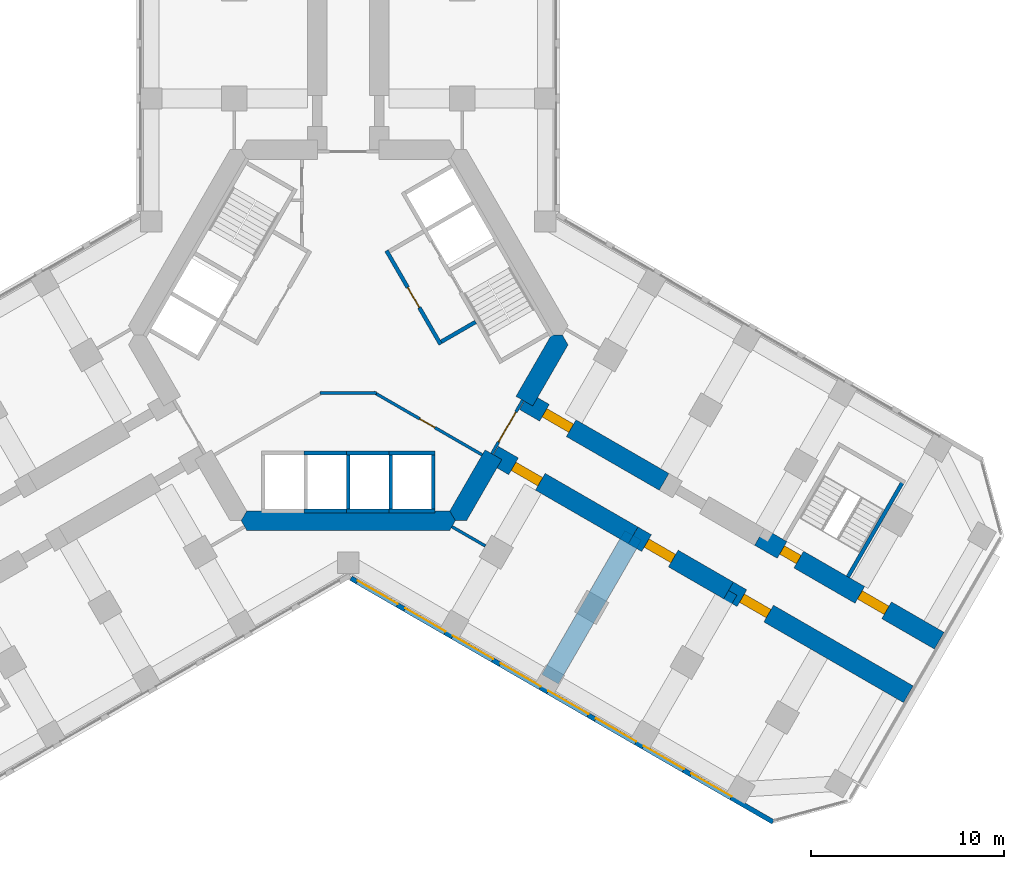
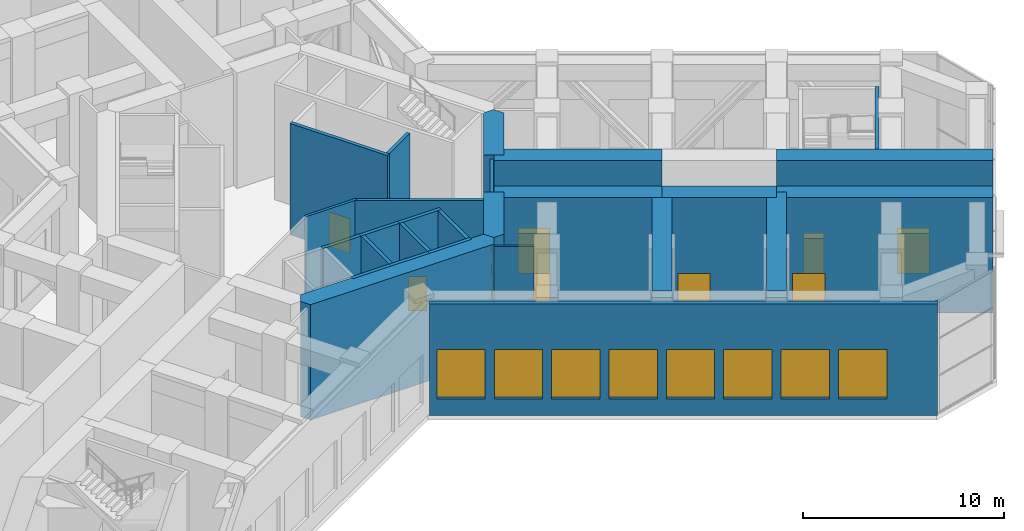
# One storey, part 12 of 17: 27 walls, 9 doors, 8 windows, 17 openings.
"""IFC4 building model written with IfcOpenShell, lengths in metres."""

import ifcopenshell
import ifcopenshell.guid

model = None  # the IFC model being written
_history = None  # IfcOwnerHistory: only IFC2X3 demands one
_inside = {}  # id of a spatial element -> (the spatial element, [elements in it])
_under = {}  # id of a project, library or spatial element -> (it, [spatial elements below it])
_declared = {}  # id of a project -> (the project, [libraries it declares])
_typed = {}  # id of a type object -> (the type object, [elements of that type])
_made_of = {}  # id of a material, layer set ... -> (it, [elements and type objects made of it])


def new_model(schema):
    """Start an empty IFC model of exactly this schema.

    Asked for "IFC4X3", IfcOpenShell would pick the latest addendum, in which some entities
    have other attributes; the version numbers below select the first issue.
    IFC2X3 requires an IfcOwnerHistory on every rooted entity: one is made here for all.
    """
    global model, _history
    if schema == "IFC4X3":
        model = ifcopenshell.file(schema_version=(4, 3, 0, 0))
    else:
        model = ifcopenshell.file(schema=schema)
    _inside.clear()
    _under.clear()
    _declared.clear()
    _typed.clear()
    _made_of.clear()
    _history = None
    if model.schema == "IFC2X3":
        org = make("IfcOrganization", Name="unknown")
        user = make(
            "IfcPersonAndOrganization",
            ThePerson=make("IfcPerson", FamilyName="unknown"),
            TheOrganization=org,
        )
        app = make(
            "IfcApplication",
            ApplicationDeveloper=org,
            Version="unknown",
            ApplicationFullName="unknown",
            ApplicationIdentifier="unknown",
        )
        _history = make(
            "IfcOwnerHistory",
            OwningUser=user,
            OwningApplication=app,
            ChangeAction="ADDED",
            CreationDate=0,
        )
    return model


def make(cls, **values):
    """One entity of the class cls with the attributes given. An attribute that is None is left unset."""
    return model.create_entity(
        cls, **{name: value for name, value in values.items() if value is not None}
    )


def rooted(cls, **values):
    """An entity with a GlobalId (a new one), such as an element, a storey or a relation."""
    return make(cls, GlobalId=ifcopenshell.guid.new(), OwnerHistory=_history, **values)


def si_unit(unit_type, name, prefix=None):
    """IfcSIUnit, for example si_unit("LENGTHUNIT", "METRE", prefix="MILLI")."""
    return make("IfcSIUnit", UnitType=unit_type, Prefix=prefix, Name=name)


def assignment(units):
    """IfcUnitAssignment: the units of a project."""
    return None if units is None else make("IfcUnitAssignment", Units=units)


def point(xyz):
    """IfcCartesianPoint."""
    return None if xyz is None else make("IfcCartesianPoint", Coordinates=xyz)


def direction(xyz):
    """IfcDirection."""
    return None if xyz is None else make("IfcDirection", DirectionRatios=xyz)


def frame(location, z_axis=None, x_axis=None):
    """IfcAxis2Placement3D, a coordinate frame: its origin and axes. An axis left out is left unset."""
    return make(
        "IfcAxis2Placement3D",
        Location=point(location),
        Axis=direction(z_axis),
        RefDirection=direction(x_axis),
    )


def frame_2d(location, x_axis=None):
    """IfcAxis2Placement2D, a coordinate frame in the plane: its origin and x axis."""
    return make(
        "IfcAxis2Placement2D", Location=point(location), RefDirection=direction(x_axis)
    )


def origin():
    """The frame at (0, 0, 0) with its axes left unset."""
    return frame((0.0, 0.0, 0.0))


def place(relative_to, where):
    """IfcLocalPlacement: puts the frame where relative to a parent placement (None: the world)."""
    return make(
        "IfcLocalPlacement", PlacementRelTo=relative_to, RelativePlacement=where
    )


def context(
    kind, dimensions, precision=None, world=None, true_north=None, identifier=None
):
    """IfcGeometricRepresentationContext, for example the 3D "Model" context."""
    return make(
        "IfcGeometricRepresentationContext",
        ContextIdentifier=identifier,
        ContextType=kind,
        CoordinateSpaceDimension=dimensions,
        Precision=precision,
        WorldCoordinateSystem=world,
        TrueNorth=true_north,
    )


def subcontext(parent, identifier, kind, view, scale=None):
    """IfcGeometricRepresentationSubContext, for example "Body" below "Model"."""
    return make(
        "IfcGeometricRepresentationSubContext",
        ContextIdentifier=identifier,
        ContextType=kind,
        ParentContext=parent,
        TargetScale=scale,
        TargetView=view,
    )


def project(units=None, contexts=None):
    """IfcProject with its units and contexts."""
    return rooted(
        "IfcProject",
        Name="project",
        RepresentationContexts=contexts,
        UnitsInContext=assignment(units),
    )


def spatial(cls, under=None, at=None, **own):
    """A site, building, storey or space (cls), placed at a placement, below another one or the project."""
    s = rooted(cls, ObjectPlacement=at, **own)
    if under is not None:
        _under.setdefault(under.id(), (under, []))[1].append(s)
    return s


def polyline(points):
    """IfcPolyline through the points."""
    return make("IfcPolyline", Points=[point(p) for p in points])


def profile(cls, at=None, kind="AREA", **sizes):
    """A parametric profile (cls). Its sizes go by their IFC names, for example OverallWidth=200.0."""
    return make(cls, ProfileType=kind, Position=at, **sizes)


def rectangle(**sizes):
    """IfcRectangleProfileDef."""
    return profile("IfcRectangleProfileDef", **sizes)


def outline(outer, holes=None, kind="AREA"):
    """IfcArbitraryClosedProfileDef: a profile drawn as a closed curve; with holes, ...WithVoids."""
    if holes is None:
        return make("IfcArbitraryClosedProfileDef", ProfileType=kind, OuterCurve=outer)
    return make(
        "IfcArbitraryProfileDefWithVoids",
        ProfileType=kind,
        OuterCurve=outer,
        InnerCurves=holes,
    )


def extrude(swept, where, along, depth):
    """IfcExtrudedAreaSolid: the profile swept, set in the frame where, extruded along a direction by depth."""
    return make(
        "IfcExtrudedAreaSolid",
        SweptArea=swept,
        Position=where,
        ExtrudedDirection=direction(along),
        Depth=depth,
    )


def shape(context_of_items, identifier, shape_type, items):
    """IfcShapeRepresentation: the items that make up one representation, for example the "Body"."""
    return make(
        "IfcShapeRepresentation",
        ContextOfItems=context_of_items,
        RepresentationIdentifier=identifier,
        RepresentationType=shape_type,
        Items=items,
    )


def material(Name=None, Category=None):
    """IfcMaterial."""
    return make("IfcMaterial", Name=Name, Category=Category)


def layer(
    of_material, thickness, ventilated=None, Name=None, Category=None, Priority=None
):
    """IfcMaterialLayer: one layer of a wall or slab, of a material (None: an air gap)."""
    return make(
        "IfcMaterialLayer",
        Material=of_material,
        LayerThickness=thickness,
        IsVentilated=ventilated,
        Name=Name,
        Category=Category,
        Priority=Priority,
    )


def layer_set(layers, Name=None):
    """IfcMaterialLayerSet."""
    return make("IfcMaterialLayerSet", MaterialLayers=layers, LayerSetName=Name)


def made_of(thing, what):
    """Note that an element or type object is made of a material, layer set ...; save() writes the relation."""
    if what is not None:
        _made_of.setdefault(what.id(), (what, []))[1].append(thing)
    return thing


def type_object(cls, material=None, **own):
    """A type object (cls), such as IfcWallType, which elements share."""
    return made_of(rooted(cls, **own), material)


def element(
    cls,
    number,
    at=None,
    inside=None,
    cuts=None,
    type_object=None,
    material=None,
    context=None,
    identifier="Body",
    shape_type=None,
    held_by="IfcProductDefinitionShape",
    body=None,
    shapes=None,
    **own,
):
    """One element of the class cls, such as IfcWall. Its Tag is "e" and its number.

    at: its placement. inside: the storey or other place that contains it. cuts: it is an
    opening in that element (IfcRelVoidsElement). A single representation is given by context,
    identifier, shape_type and body (its items); several are given by shapes. held_by: the class
    of the entity that holds the representations. save() writes the other relations.
    """
    e = rooted(cls, Tag="e%d" % number, ObjectPlacement=at, **own)
    if body is not None:
        shapes = [shape(context, identifier, shape_type, body)]
    if shapes is not None:
        e.Representation = make(held_by, Representations=shapes)
    if inside is not None:
        _inside.setdefault(inside.id(), (inside, []))[1].append(e)
    if cuts is not None:
        rooted(
            "IfcRelVoidsElement", RelatingBuildingElement=cuts, RelatedOpeningElement=e
        )
    if type_object is not None:
        _typed.setdefault(type_object.id(), (type_object, []))[1].append(e)
    return made_of(e, material)


def fill(opening, filler):
    """IfcRelFillsElement: the door or window that sits in an opening."""
    return rooted(
        "IfcRelFillsElement",
        RelatingOpeningElement=opening,
        RelatedBuildingElement=filler,
    )


def aggregate(whole, parts):
    """IfcRelAggregates: a whole, such as a stair, and the parts it consists of."""
    return rooted("IfcRelAggregates", RelatingObject=whole, RelatedObjects=parts)


def save(model, path):
    """Write the relations noted so far, then the file.

    IfcRelAggregates (storeys below a building ...), IfcRelContainedInSpatialStructure (elements
    in a storey), IfcRelDefinesByType, IfcRelAssociatesMaterial and IfcRelDeclares: one each for
    every whole, place, type object, material and project.
    """
    for whole, parts in _under.values():
        aggregate(whole, parts)
    for where, things in _inside.values():
        rooted(
            "IfcRelContainedInSpatialStructure",
            RelatedElements=things,
            RelatingStructure=where,
        )
    for kind, things in _typed.values():
        rooted("IfcRelDefinesByType", RelatedObjects=things, RelatingType=kind)
    for what, things in _made_of.values():
        rooted("IfcRelAssociatesMaterial", RelatedObjects=things, RelatingMaterial=what)
    for by, libraries in _declared.values():
        rooted("IfcRelDeclares", RelatingContext=by, RelatedDefinitions=libraries)
    model.write(path)


model = new_model("IFC4")

# Units and contexts
model_context = context("Model", 3, precision=1e-05, world=origin(), true_north=direction((0.0, 1.0)))
body_context = subcontext(model_context, "Body", "Model", "MODEL_VIEW")
ifc_project = project(units=[si_unit("LENGTHUNIT", "METRE"), si_unit("AREAUNIT", "SQUARE_METRE"), si_unit("VOLUMEUNIT", "CUBIC_METRE"), si_unit("PLANEANGLEUNIT", "RADIAN"), si_unit("MASSUNIT", "GRAM", prefix="KILO")], contexts=[model_context])

# Site, building, storey
site_placement = place(None, origin())
site = spatial("IfcSite", under=ifc_project, at=site_placement, CompositionType="ELEMENT")
building_placement = place(site_placement, origin())
building = spatial("IfcBuilding", under=site, at=building_placement, Name="Kosmar Iwan School Tower", CompositionType="ELEMENT")
storey_placement = place(building_placement, frame((0.0, 0.0, 32.39990234375)))
storey = spatial("IfcBuildingStorey", under=building, at=storey_placement, Name="L07", CompositionType="ELEMENT", Elevation=32.39990234375)

# Wall, opening, door
ifc_material_1 = material(Name="Gypsum board on steel studs, fire-rated", Category="steel")
ifc_layer_1 = layer(ifc_material_1, 0.14990234375)
ifc_layer_set_1 = layer_set([ifc_layer_1], Name="Core room partition 150")
wall_type_1 = type_object("IfcWallType", Name="Core room partition 150", PredefinedType="PARTITIONING", material=ifc_layer_set_1)
wall_1_placement = place(storey_placement, frame((1.321044921875, -2.956787109375, 0.0), z_axis=(0.0, 0.0, 1.0), x_axis=(0.866031188953, -0.499989979661, 0.0)))
wall_1 = element("IfcWall", 1, at=wall_1_placement, inside=storey, type_object=wall_type_1, Name="Core room partition L07-CW4", PredefinedType="PARTITIONING", context=body_context, shape_type="SweptSolid", body=[
    extrude(rectangle(XDim=6.477783203125, YDim=0.14990234375, at=frame_2d((3.23876953125, 0.0))), origin(), (0.0, 0.0, 1.0), 6.75),
])
opening_1_placement = place(wall_1_placement, frame((2.74609375, 0.0, 0.0)))
opening_1 = element("IfcOpeningElement", 2, at=opening_1_placement, cuts=wall_1, Name="Opening D14", PredefinedType="OPENING", context=body_context, shape_type="SweptSolid", body=[
    extrude(rectangle(XDim=0.89990234375, YDim=2.10009765625, at=frame_2d((0.449951171875, 1.050048828125))), frame((0.0, 0.0869140625, 0.0), z_axis=(0.0, -1.0, 0.0), x_axis=(1.0, 0.0, 0.0)), (0.0, 0.0, 1.0), 0.173828125),
])
ifc_material_2 = material(Name="Timber fire door in steel frame", Category="steel")
door_type_1 = type_object("IfcDoorType", Name="Core room door 900x2100", OperationType="SINGLE_SWING_LEFT", PredefinedType="DOOR", material=ifc_material_2)
door_1_placement = place(opening_1_placement, origin())
door_1 = element("IfcDoor", 3, at=door_1_placement, inside=storey, type_object=door_type_1, Name="Spares store door L07 3", OperationType="SINGLE_SWING_LEFT", OverallHeight=2.10009765625, OverallWidth=0.89990234375, PredefinedType="DOOR", context=body_context, shape_type="SweptSolid", body=[
    extrude(rectangle(XDim=0.89990234375, YDim=2.10009765625, at=frame_2d((0.449951171875, 1.050048828125))), frame((0.0, 0.02490234375, 0.0), z_axis=(0.0, -1.0, 0.0), x_axis=(1.0, 0.0, 0.0)), (0.0, 0.0, 1.0), 0.050048828125),
])
fill(opening_1, door_1)

# Walls
wall_2_placement = place(storey_placement, frame((-1.461181640625, -2.994140625, 0.0), z_axis=(0.0, 0.0, 1.0), x_axis=(1.0, 0.0, 0.0)))
element("IfcWall", 4, at=wall_2_placement, inside=storey, type_object=wall_type_1, Name="Core room partition L07-CW6", PredefinedType="PARTITIONING", context=body_context, shape_type="SweptSolid", body=[
    extrude(rectangle(XDim=2.92236328125, YDim=0.14990234375, at=frame_2d((1.461181640625, 0.0))), origin(), (0.0, 0.0, 1.0), 6.75),
])
ifc_material_3 = material(Name="Concrete C50/60", Category="concrete")
ifc_layer_2 = layer(ifc_material_3, 1.0)
ifc_layer_set_2 = layer_set([ifc_layer_2], Name="Core wall 1000")
wall_type_2 = type_object("IfcWallType", Name="Core wall 1000", PredefinedType="SHEAR", material=ifc_layer_set_2)
wall_3_placement = place(storey_placement, origin())
element("IfcWall", 5, at=wall_3_placement, inside=storey, type_object=wall_type_2, Name="Core wall F270", PredefinedType="SHEAR", context=body_context, shape_type="SweptSolid", body=[
    extrude(outline(polyline([(-5.25390625, -10.10009765625), (5.25390625, -10.10009765625), (5.54248046875, -9.60009765625), (5.25390625, -9.10009765625), (-5.25390625, -9.10009765625), (-5.54248046875, -9.60009765625), (-5.25390625, -10.10009765625)])), origin(), (0.0, 0.0, 1.0), 7.0),
])
wall_4_placement = place(storey_placement, origin())
element("IfcWall", 6, at=wall_4_placement, inside=storey, type_object=wall_type_2, Name="Core wall F330a", PredefinedType="SHEAR", context=body_context, shape_type="SweptSolid", body=[
    extrude(outline(polyline([(5.54248046875, -9.60009765625), (6.119873046875, -9.60009765625), (7.94677734375, -6.435546875), (7.080810546875, -5.935546875), (5.25390625, -9.10009765625), (5.54248046875, -9.60009765625)])), origin(), (0.0, 0.0, 1.0), 7.0),
])
wall_5_placement = place(storey_placement, origin())
element("IfcWall", 7, at=wall_5_placement, inside=storey, type_object=wall_type_2, Name="Core wall F330b", PredefinedType="SHEAR", context=body_context, shape_type="SweptSolid", body=[
    extrude(outline(polyline([(9.546875, -3.664306640625), (11.373779296875, -0.5), (11.085205078125, 0.0), (10.5078125, 0.0), (8.680908203125, -3.164306640625), (9.546875, -3.664306640625)])), origin(), (0.0, 0.0, 1.0), 7.0),
])

# Wall, opening, door
ifc_material_4 = material(Name="Concrete C50/60", Category="concrete")
ifc_layer_3 = layer(ifc_material_4, 1.0)
ifc_layer_set_3 = layer_set([ifc_layer_3], Name="Corridor buttress wall 1000")
wall_type_3 = type_object("IfcWallType", Name="Corridor buttress wall 1000", PredefinedType="SHEAR", material=ifc_layer_set_3)
wall_6_placement = place(storey_placement, frame((9.11376953125, -3.414306640625, 0.0), z_axis=(0.0, 0.0, 1.0), x_axis=(0.866026859388, -0.499997478812, 0.0)))
wall_6 = element("IfcWall", 8, at=wall_6_placement, inside=storey, type_object=wall_type_3, Name="Corridor wall CL", PredefinedType="SHEAR", context=body_context, shape_type="SweptSolid", body=[
    extrude(rectangle(XDim=8.35009765625, YDim=1.0, at=frame_2d((4.175048828125, 0.0))), origin(), (0.0, 0.0, 1.0), 7.0),
])
opening_2_placement = place(wall_6_placement, frame((1.199951171875, 0.0, 0.0)))
opening_2 = element("IfcOpeningElement", 9, at=opening_2_placement, cuts=wall_6, Name="Opening D5", PredefinedType="OPENING", context=body_context, shape_type="SweptSolid", body=[
    extrude(rectangle(XDim=1.60009765625, YDim=2.39990234375, at=frame_2d((0.800048828125, 1.199951171875))), frame((0.0, 0.511962890625, 0.0), z_axis=(0.0, -1.0, 0.0), x_axis=(1.0, 0.0, 0.0)), (0.0, 0.0, 1.0), 1.02392578125),
])
ifc_material_5 = material(Name="Steel fire door", Category="steel")
door_type_2 = type_object("IfcDoorType", Name="Plant room door pair 1600x2400", OperationType="DOUBLE_DOOR_SINGLE_SWING", PredefinedType="DOOR", material=ifc_material_5)
door_2_placement = place(opening_2_placement, origin())
door_2 = element("IfcDoor", 10, at=door_2_placement, inside=storey, type_object=door_type_2, Name="Refuge area door L07-CL1", OperationType="DOUBLE_DOOR_SINGLE_SWING", OverallHeight=2.39990234375, OverallWidth=1.60009765625, PredefinedType="DOOR", context=body_context, shape_type="SweptSolid", body=[
    extrude(rectangle(XDim=1.60009765625, YDim=2.39990234375, at=frame_2d((0.800048828125, 1.199951171875))), frame((0.0, 0.25, 0.0), z_axis=(0.0, -1.0, 0.0), x_axis=(1.0, 0.0, 0.0)), (0.0, 0.0, 1.0), 0.5),
])
fill(opening_2, door_2)

# Wall, openings, doors
wall_7_placement = place(storey_placement, frame((21.281494140625, -10.439453125, 0.0), z_axis=(0.0, 0.0, 1.0), x_axis=(0.866032345022, -0.499987977232, 0.0)))
wall_7 = element("IfcWall", 11, at=wall_7_placement, inside=storey, type_object=wall_type_3, Name="Corridor wall CL bay 3", PredefinedType="SHEAR", context=body_context, shape_type="SweptSolid", body=[
    extrude(rectangle(XDim=10.744873046875, YDim=1.0, at=frame_2d((5.37255859375, 0.0))), origin(), (0.0, 0.0, 1.0), 7.0),
])
opening_3_placement = place(wall_7_placement, frame((6.0, 0.0, 0.0)))
opening_3 = element("IfcOpeningElement", 12, at=opening_3_placement, cuts=wall_7, Name="Opening D5", PredefinedType="OPENING", context=body_context, shape_type="SweptSolid", body=[
    extrude(rectangle(XDim=1.60009765625, YDim=2.39990234375, at=frame_2d((0.800048828125, 1.199951171875))), frame((0.0, 0.511962890625, 0.0), z_axis=(0.0, -1.0, 0.0), x_axis=(1.0, 0.0, 0.0)), (0.0, 0.0, 1.0), 1.02392578125),
])
opening_4_placement = place(wall_7_placement, frame((1.35009765625, 0.0, 0.0)))
opening_4 = element("IfcOpeningElement", 13, at=opening_4_placement, cuts=wall_7, Name="Opening D6", PredefinedType="OPENING", context=body_context, shape_type="SweptSolid", body=[
    extrude(rectangle(XDim=1.0, YDim=2.10009765625, at=frame_2d((0.5, 1.050048828125))), frame((0.0, 0.511962890625, 0.0), z_axis=(0.0, -1.0, 0.0), x_axis=(1.0, 0.0, 0.0)), (0.0, 0.0, 1.0), 1.02392578125),
])
door_3_placement = place(opening_3_placement, origin())
door_3 = element("IfcDoor", 14, at=door_3_placement, inside=storey, type_object=door_type_2, Name="Pump room door L07-CL3", OperationType="DOUBLE_DOOR_SINGLE_SWING", OverallHeight=2.39990234375, OverallWidth=1.60009765625, PredefinedType="DOOR", context=body_context, shape_type="SweptSolid", body=[
    extrude(rectangle(XDim=1.60009765625, YDim=2.39990234375, at=frame_2d((0.800048828125, 1.199951171875))), frame((0.0, 0.25, 0.0), z_axis=(0.0, -1.0, 0.0), x_axis=(1.0, 0.0, 0.0)), (0.0, 0.0, 1.0), 0.5),
])
fill(opening_3, door_3)
ifc_material_6 = material(Name="Steel fire door", Category="steel")
door_type_3 = type_object("IfcDoorType", Name="Stair door 1000x2100", OperationType="SINGLE_SWING_LEFT", PredefinedType="DOOR", material=ifc_material_6)
door_4_placement = place(opening_4_placement, origin())
door_4 = element("IfcDoor", 15, at=door_4_placement, inside=storey, type_object=door_type_3, Name="Stair WS3 door L07", OperationType="SINGLE_SWING_LEFT", OverallHeight=2.10009765625, OverallWidth=1.0, PredefinedType="DOOR", context=body_context, shape_type="SweptSolid", body=[
    extrude(rectangle(XDim=1.0, YDim=2.10009765625, at=frame_2d((0.5, 1.050048828125))), frame((0.0, 0.25, 0.0), z_axis=(0.0, -1.0, 0.0), x_axis=(1.0, 0.0, 0.0)), (0.0, 0.0, 1.0), 0.5),
])
fill(opening_4, door_4)

# Wall, opening, door
wall_8_placement = place(storey_placement, frame((7.513916015625, -6.185546875, 0.0), z_axis=(0.0, 0.0, 1.0), x_axis=(0.866019549707, -0.500010139422, 0.0)))
wall_8 = element("IfcWall", 16, at=wall_8_placement, inside=storey, type_object=wall_type_3, Name="Corridor wall CR", PredefinedType="SHEAR", context=body_context, shape_type="SweptSolid", body=[
    extrude(rectangle(XDim=8.349853515625, YDim=1.0, at=frame_2d((4.1748046875, 0.0))), origin(), (0.0, 0.0, 1.0), 7.0),
])
opening_5_placement = place(wall_8_placement, frame((1.199951171875, 0.0, 0.0)))
opening_5 = element("IfcOpeningElement", 17, at=opening_5_placement, cuts=wall_8, Name="Opening D5", PredefinedType="OPENING", context=body_context, shape_type="SweptSolid", body=[
    extrude(rectangle(XDim=1.60009765625, YDim=2.39990234375, at=frame_2d((0.800048828125, 1.199951171875))), frame((0.0, 0.511962890625, 0.0), z_axis=(0.0, -1.0, 0.0), x_axis=(1.0, 0.0, 0.0)), (0.0, 0.0, 1.0), 1.02392578125),
])
door_5_placement = place(opening_5_placement, origin())
door_5 = element("IfcDoor", 18, at=door_5_placement, inside=storey, type_object=door_type_2, Name="Refuge area door L07-CR1", OperationType="DOUBLE_DOOR_SINGLE_SWING", OverallHeight=2.39990234375, OverallWidth=1.60009765625, PredefinedType="DOOR", context=body_context, shape_type="SweptSolid", body=[
    extrude(rectangle(XDim=1.60009765625, YDim=2.39990234375, at=frame_2d((0.800048828125, 1.199951171875))), frame((0.0, 0.25, 0.0), z_axis=(0.0, -1.0, 0.0), x_axis=(1.0, 0.0, 0.0)), (0.0, 0.0, 1.0), 0.5),
])
fill(opening_5, door_5)

wall_9_placement = place(storey_placement, frame((14.7451171875, -10.360595703125, 0.0), z_axis=(0.0, 0.0, 1.0), x_axis=(0.866015111908, -0.50001782563, 0.0)))
wall_9 = element("IfcWall", 19, at=wall_9_placement, inside=storey, type_object=wall_type_3, Name="Corridor wall CR bay 2", PredefinedType="SHEAR", context=body_context, shape_type="SweptSolid", body=[
    extrude(rectangle(XDim=5.699951171875, YDim=1.0, at=frame_2d((2.85009765625, 0.0))), origin(), (0.0, 0.0, 1.0), 7.0),
])
opening_6_placement = place(wall_9_placement, frame((0.800048828125, 0.0, 0.0)))
opening_6 = element("IfcOpeningElement", 20, at=opening_6_placement, cuts=wall_9, Name="Opening D5", PredefinedType="OPENING", context=body_context, shape_type="SweptSolid", body=[
    extrude(rectangle(XDim=1.60009765625, YDim=2.39990234375, at=frame_2d((0.800048828125, 1.199951171875))), frame((0.0, 0.511962890625, 0.0), z_axis=(0.0, -1.0, 0.0), x_axis=(1.0, 0.0, 0.0)), (0.0, 0.0, 1.0), 1.02392578125),
])
door_6_placement = place(opening_6_placement, origin())
door_6 = element("IfcDoor", 21, at=door_6_placement, inside=storey, type_object=door_type_2, Name="Heat exchanger room door L07-CR2", OperationType="DOUBLE_DOOR_SINGLE_SWING", OverallHeight=2.39990234375, OverallWidth=1.60009765625, PredefinedType="DOOR", context=body_context, shape_type="SweptSolid", body=[
    extrude(rectangle(XDim=1.60009765625, YDim=2.39990234375, at=frame_2d((0.800048828125, 1.199951171875))), frame((0.0, 0.25, 0.0), z_axis=(0.0, -1.0, 0.0), x_axis=(1.0, 0.0, 0.0)), (0.0, 0.0, 1.0), 0.5),
])
fill(opening_6, door_6)

wall_10_placement = place(storey_placement, frame((19.681396484375, -13.210693359375, 0.0), z_axis=(0.0, 0.0, 1.0), x_axis=(0.866028186671, -0.499995179869, 0.0)))
wall_10 = element("IfcWall", 22, at=wall_10_placement, inside=storey, type_object=wall_type_3, Name="Corridor wall CR bay 3", PredefinedType="SHEAR", context=body_context, shape_type="SweptSolid", body=[
    extrude(rectangle(XDim=10.7451171875, YDim=1.0, at=frame_2d((5.37255859375, 0.0))), origin(), (0.0, 0.0, 1.0), 7.0),
])
opening_7_placement = place(wall_10_placement, frame((0.800048828125, 0.0, 0.0)))
opening_7 = element("IfcOpeningElement", 23, at=opening_7_placement, cuts=wall_10, Name="Opening D5", PredefinedType="OPENING", context=body_context, shape_type="SweptSolid", body=[
    extrude(rectangle(XDim=1.60009765625, YDim=2.39990234375, at=frame_2d((0.800048828125, 1.199951171875))), frame((0.0, 0.511962890625, 0.0), z_axis=(0.0, -1.0, 0.0), x_axis=(1.0, 0.0, 0.0)), (0.0, 0.0, 1.0), 1.02392578125),
])
door_7_placement = place(opening_7_placement, origin())
door_7 = element("IfcDoor", 24, at=door_7_placement, inside=storey, type_object=door_type_2, Name="Pump room door L07-CR3", OperationType="DOUBLE_DOOR_SINGLE_SWING", OverallHeight=2.39990234375, OverallWidth=1.60009765625, PredefinedType="DOOR", context=body_context, shape_type="SweptSolid", body=[
    extrude(rectangle(XDim=1.60009765625, YDim=2.39990234375, at=frame_2d((0.800048828125, 1.199951171875))), frame((0.0, 0.25, 0.0), z_axis=(0.0, -1.0, 0.0), x_axis=(1.0, 0.0, 0.0)), (0.0, 0.0, 1.0), 0.5),
])
fill(opening_7, door_7)

ifc_material_7 = material(Name="Steel framed glazed screen", Category="steel")
ifc_layer_4 = layer(ifc_material_7, 0.14990234375)
ifc_layer_set_4 = layer_set([ifc_layer_4], Name="Corridor screen wall 150")
wall_type_4 = type_object("IfcWallType", Name="Corridor screen wall 150", PredefinedType="PARTITIONING", material=ifc_layer_set_4)
wall_11_placement = place(storey_placement, frame((7.42724609375, -6.1357421875, 0.0), z_axis=(0.0, 0.0, 1.0), x_axis=(0.499995408039, 0.866028054938, 0.0)))
wall_11 = element("IfcWall", 25, at=wall_11_placement, inside=storey, type_object=wall_type_4, Name="Corridor screen C L07", PredefinedType="PARTITIONING", context=body_context, shape_type="SweptSolid", body=[
    extrude(rectangle(XDim=3.2001953125, YDim=0.14990234375, at=frame_2d((1.60009765625, 0.0))), origin(), (0.0, 0.0, 1.0), 6.75),
])
opening_8_placement = place(wall_11_placement, frame((0.699951171875, 0.0, 0.0)))
opening_8 = element("IfcOpeningElement", 26, at=opening_8_placement, cuts=wall_11, Name="Opening D9", PredefinedType="OPENING", context=body_context, shape_type="SweptSolid", body=[
    extrude(rectangle(XDim=1.800048828125, YDim=2.10009765625, at=frame_2d((0.89990234375, 1.050048828125))), frame((0.0, 0.0869140625, 0.0), z_axis=(0.0, -1.0, 0.0), x_axis=(1.0, 0.0, 0.0)), (0.0, 0.0, 1.0), 0.173828125),
])
ifc_material_8 = material(Name="Steel framed glazed smoke door", Category="steel")
door_type_4 = type_object("IfcDoorType", Name="Corridor smoke door pair 1800x2100", OperationType="DOUBLE_DOOR_DOUBLE_SWING", PredefinedType="DOOR", material=ifc_material_8)
door_8_placement = place(opening_8_placement, origin())
door_8 = element("IfcDoor", 27, at=door_8_placement, inside=storey, type_object=door_type_4, Name="Corridor doors C L07", OperationType="DOUBLE_DOOR_DOUBLE_SWING", OverallHeight=2.10009765625, OverallWidth=1.800048828125, PredefinedType="DOOR", context=body_context, shape_type="SweptSolid", body=[
    extrude(rectangle(XDim=1.800048828125, YDim=2.10009765625, at=frame_2d((0.89990234375, 1.050048828125))), frame((0.0, 0.02490234375, 0.0), z_axis=(0.0, -1.0, 0.0), x_axis=(1.0, 0.0, 0.0)), (0.0, 0.0, 1.0), 0.050048828125),
])
fill(opening_8, door_8)

# Wall
ifc_material_9 = material(Name="Concrete C35/45", Category="concrete")
ifc_layer_5 = layer(ifc_material_9, 0.199951171875)
ifc_layer_set_5 = layer_set([ifc_layer_5], Name="Escape stair wall 200")
wall_type_5 = type_object("IfcWallType", Name="Escape stair wall 200", PredefinedType="SHEAR", material=ifc_layer_set_5)
wall_12_placement = place(storey_placement, frame((25.861572265625, -12.50634765625, 0.0), z_axis=(0.0, 0.0, 1.0), x_axis=(0.500018801468, 0.86601454848, 0.0)))
element("IfcWall", 28, at=wall_12_placement, inside=storey, type_object=wall_type_5, Name="Stair WS3 wall", PredefinedType="SHEAR", context=body_context, shape_type="SweptSolid", body=[
    extrude(rectangle(XDim=5.800048828125, YDim=0.199951171875, at=frame_2d((2.89990234375, 0.0))), origin(), (0.0, 0.0, 1.0), 6.72998046875),
])

# Wall, openings, windows
ifc_material_10 = material(Name="Black aluminium rainscreen on insulated framing", Category="aluminium")
ifc_layer_6 = layer(ifc_material_10, 0.25)
ifc_layer_set_6 = layer_set([ifc_layer_6], Name="External wall rainscreen 250")
wall_type_6 = type_object("IfcWallType", Name="External wall rainscreen 250", PredefinedType="SOLIDWALL", material=ifc_layer_set_6)
wall_13_placement = place(storey_placement, frame((0.137939453125, -12.5791015625, 0.0), z_axis=(0.0, 0.0, 1.0), x_axis=(0.866023775649, -0.500002820003, 0.0)))
wall_13 = element("IfcWall", 29, at=wall_13_placement, inside=storey, type_object=wall_type_6, Name="External wall CR L07", PredefinedType="SOLIDWALL", context=body_context, shape_type="SweptSolid", body=[
    extrude(rectangle(XDim=25.226318359375, YDim=0.25, at=frame_2d((12.61328125, 0.0))), origin(), (0.0, 0.0, 1.0), 6.75),
])
opening_9_placement = place(wall_13_placement, frame((0.365966796875, 0.0, 1.0)))
opening_9 = element("IfcOpeningElement", 30, at=opening_9_placement, cuts=wall_13, Name="Opening LV1", PredefinedType="OPENING", context=body_context, shape_type="SweptSolid", body=[
    extrude(rectangle(XDim=2.39990234375, YDim=3.0, at=frame_2d((1.199951171875, 1.5))), frame((0.0, 0.136962890625, 0.0), z_axis=(0.0, -1.0, 0.0), x_axis=(1.0, 0.0, 0.0)), (0.0, 0.0, 1.0), 0.27392578125),
])
opening_10_placement = place(wall_13_placement, frame((3.216064453125, 0.0, 1.0)))
opening_10 = element("IfcOpeningElement", 31, at=opening_10_placement, cuts=wall_13, Name="Opening LV1", PredefinedType="OPENING", context=body_context, shape_type="SweptSolid", body=[
    extrude(rectangle(XDim=2.39990234375, YDim=3.0, at=frame_2d((1.199951171875, 1.5))), frame((0.0, 0.136962890625, 0.0), z_axis=(0.0, -1.0, 0.0), x_axis=(1.0, 0.0, 0.0)), (0.0, 0.0, 1.0), 0.27392578125),
])
opening_11_placement = place(wall_13_placement, frame((6.06591796875, 0.0, 1.0)))
opening_11 = element("IfcOpeningElement", 32, at=opening_11_placement, cuts=wall_13, Name="Opening LV1", PredefinedType="OPENING", context=body_context, shape_type="SweptSolid", body=[
    extrude(rectangle(XDim=2.39990234375, YDim=3.0, at=frame_2d((1.199951171875, 1.5))), frame((0.0, 0.136962890625, 0.0), z_axis=(0.0, -1.0, 0.0), x_axis=(1.0, 0.0, 0.0)), (0.0, 0.0, 1.0), 0.27392578125),
])
opening_12_placement = place(wall_13_placement, frame((8.916015625, 0.0, 1.0)))
opening_12 = element("IfcOpeningElement", 33, at=opening_12_placement, cuts=wall_13, Name="Opening LV1", PredefinedType="OPENING", context=body_context, shape_type="SweptSolid", body=[
    extrude(rectangle(XDim=2.39990234375, YDim=3.0, at=frame_2d((1.199951171875, 1.5))), frame((0.0, 0.136962890625, 0.0), z_axis=(0.0, -1.0, 0.0), x_axis=(1.0, 0.0, 0.0)), (0.0, 0.0, 1.0), 0.27392578125),
])
opening_13_placement = place(wall_13_placement, frame((11.76611328125, 0.0, 1.0)))
opening_13 = element("IfcOpeningElement", 34, at=opening_13_placement, cuts=wall_13, Name="Opening LV1", PredefinedType="OPENING", context=body_context, shape_type="SweptSolid", body=[
    extrude(rectangle(XDim=2.39990234375, YDim=3.0, at=frame_2d((1.199951171875, 1.5))), frame((0.0, 0.136962890625, 0.0), z_axis=(0.0, -1.0, 0.0), x_axis=(1.0, 0.0, 0.0)), (0.0, 0.0, 1.0), 0.27392578125),
])
opening_14_placement = place(wall_13_placement, frame((14.615966796875, 0.0, 1.0)))
opening_14 = element("IfcOpeningElement", 35, at=opening_14_placement, cuts=wall_13, Name="Opening LV1", PredefinedType="OPENING", context=body_context, shape_type="SweptSolid", body=[
    extrude(rectangle(XDim=2.39990234375, YDim=3.0, at=frame_2d((1.199951171875, 1.5))), frame((0.0, 0.136962890625, 0.0), z_axis=(0.0, -1.0, 0.0), x_axis=(1.0, 0.0, 0.0)), (0.0, 0.0, 1.0), 0.27392578125),
])
opening_15_placement = place(wall_13_placement, frame((17.466064453125, 0.0, 1.0)))
opening_15 = element("IfcOpeningElement", 36, at=opening_15_placement, cuts=wall_13, Name="Opening LV1", PredefinedType="OPENING", context=body_context, shape_type="SweptSolid", body=[
    extrude(rectangle(XDim=2.39990234375, YDim=3.0, at=frame_2d((1.199951171875, 1.5))), frame((0.0, 0.136962890625, 0.0), z_axis=(0.0, -1.0, 0.0), x_axis=(1.0, 0.0, 0.0)), (0.0, 0.0, 1.0), 0.27392578125),
])
opening_16_placement = place(wall_13_placement, frame((20.31591796875, 0.0, 1.0)))
opening_16 = element("IfcOpeningElement", 37, at=opening_16_placement, cuts=wall_13, Name="Opening LV1", PredefinedType="OPENING", context=body_context, shape_type="SweptSolid", body=[
    extrude(rectangle(XDim=2.39990234375, YDim=3.0, at=frame_2d((1.199951171875, 1.5))), frame((0.0, 0.136962890625, 0.0), z_axis=(0.0, -1.0, 0.0), x_axis=(1.0, 0.0, 0.0)), (0.0, 0.0, 1.0), 0.27392578125),
])
ifc_material_11 = material(Name="Black aluminium louvre", Category="aluminium")
window_type = type_object("IfcWindowType", Name="Plant louvre 2400x3000", PartitioningType="SINGLE_PANEL", PredefinedType="USERDEFINED", material=ifc_material_11)
window_1_placement = place(opening_9_placement, origin())
window_1 = element("IfcWindow", 38, at=window_1_placement, inside=storey, type_object=window_type, Name="Window CR L07 -1", ObjectType="LOUVRE", OverallHeight=3.0, OverallWidth=2.39990234375, PartitioningType="SINGLE_PANEL", PredefinedType="USERDEFINED", context=body_context, shape_type="SweptSolid", body=[
    extrude(rectangle(XDim=2.39990234375, YDim=3.0, at=frame_2d((1.199951171875, 1.5))), frame((0.0, 0.070068359375, 0.0), z_axis=(0.0, -1.0, 0.0), x_axis=(1.0, 0.0, 0.0)), (0.0, 0.0, 1.0), 0.02001953125),
])
fill(opening_9, window_1)
window_2_placement = place(opening_10_placement, origin())
window_2 = element("IfcWindow", 39, at=window_2_placement, inside=storey, type_object=window_type, Name="Window CR L07 0", ObjectType="LOUVRE", OverallHeight=3.0, OverallWidth=2.39990234375, PartitioningType="SINGLE_PANEL", PredefinedType="USERDEFINED", context=body_context, shape_type="SweptSolid", body=[
    extrude(rectangle(XDim=2.39990234375, YDim=3.0, at=frame_2d((1.199951171875, 1.5))), frame((0.0, 0.070068359375, 0.0), z_axis=(0.0, -1.0, 0.0), x_axis=(1.0, 0.0, 0.0)), (0.0, 0.0, 1.0), 0.02001953125),
])
fill(opening_10, window_2)
window_3_placement = place(opening_11_placement, origin())
window_3 = element("IfcWindow", 40, at=window_3_placement, inside=storey, type_object=window_type, Name="Window CR L07 1", ObjectType="LOUVRE", OverallHeight=3.0, OverallWidth=2.39990234375, PartitioningType="SINGLE_PANEL", PredefinedType="USERDEFINED", context=body_context, shape_type="SweptSolid", body=[
    extrude(rectangle(XDim=2.39990234375, YDim=3.0, at=frame_2d((1.199951171875, 1.5))), frame((0.0, 0.070068359375, 0.0), z_axis=(0.0, -1.0, 0.0), x_axis=(1.0, 0.0, 0.0)), (0.0, 0.0, 1.0), 0.02001953125),
])
fill(opening_11, window_3)
window_4_placement = place(opening_12_placement, origin())
window_4 = element("IfcWindow", 41, at=window_4_placement, inside=storey, type_object=window_type, Name="Window CR L07 2", ObjectType="LOUVRE", OverallHeight=3.0, OverallWidth=2.39990234375, PartitioningType="SINGLE_PANEL", PredefinedType="USERDEFINED", context=body_context, shape_type="SweptSolid", body=[
    extrude(rectangle(XDim=2.39990234375, YDim=3.0, at=frame_2d((1.199951171875, 1.5))), frame((0.0, 0.070068359375, 0.0), z_axis=(0.0, -1.0, 0.0), x_axis=(1.0, 0.0, 0.0)), (0.0, 0.0, 1.0), 0.02001953125),
])
fill(opening_12, window_4)
window_5_placement = place(opening_13_placement, origin())
window_5 = element("IfcWindow", 42, at=window_5_placement, inside=storey, type_object=window_type, Name="Window CR L07 3", ObjectType="LOUVRE", OverallHeight=3.0, OverallWidth=2.39990234375, PartitioningType="SINGLE_PANEL", PredefinedType="USERDEFINED", context=body_context, shape_type="SweptSolid", body=[
    extrude(rectangle(XDim=2.39990234375, YDim=3.0, at=frame_2d((1.199951171875, 1.5))), frame((0.0, 0.070068359375, 0.0), z_axis=(0.0, -1.0, 0.0), x_axis=(1.0, 0.0, 0.0)), (0.0, 0.0, 1.0), 0.02001953125),
])
fill(opening_13, window_5)
window_6_placement = place(opening_14_placement, origin())
window_6 = element("IfcWindow", 43, at=window_6_placement, inside=storey, type_object=window_type, Name="Window CR L07 4", ObjectType="LOUVRE", OverallHeight=3.0, OverallWidth=2.39990234375, PartitioningType="SINGLE_PANEL", PredefinedType="USERDEFINED", context=body_context, shape_type="SweptSolid", body=[
    extrude(rectangle(XDim=2.39990234375, YDim=3.0, at=frame_2d((1.199951171875, 1.5))), frame((0.0, 0.070068359375, 0.0), z_axis=(0.0, -1.0, 0.0), x_axis=(1.0, 0.0, 0.0)), (0.0, 0.0, 1.0), 0.02001953125),
])
fill(opening_14, window_6)
window_7_placement = place(opening_15_placement, origin())
window_7 = element("IfcWindow", 44, at=window_7_placement, inside=storey, type_object=window_type, Name="Window CR L07 5", ObjectType="LOUVRE", OverallHeight=3.0, OverallWidth=2.39990234375, PartitioningType="SINGLE_PANEL", PredefinedType="USERDEFINED", context=body_context, shape_type="SweptSolid", body=[
    extrude(rectangle(XDim=2.39990234375, YDim=3.0, at=frame_2d((1.199951171875, 1.5))), frame((0.0, 0.070068359375, 0.0), z_axis=(0.0, -1.0, 0.0), x_axis=(1.0, 0.0, 0.0)), (0.0, 0.0, 1.0), 0.02001953125),
])
fill(opening_15, window_7)
window_8_placement = place(opening_16_placement, origin())
window_8 = element("IfcWindow", 45, at=window_8_placement, inside=storey, type_object=window_type, Name="Window CR L07 6", ObjectType="LOUVRE", OverallHeight=3.0, OverallWidth=2.39990234375, PartitioningType="SINGLE_PANEL", PredefinedType="USERDEFINED", context=body_context, shape_type="SweptSolid", body=[
    extrude(rectangle(XDim=2.39990234375, YDim=3.0, at=frame_2d((1.199951171875, 1.5))), frame((0.0, 0.070068359375, 0.0), z_axis=(0.0, -1.0, 0.0), x_axis=(1.0, 0.0, 0.0)), (0.0, 0.0, 1.0), 0.02001953125),
])
fill(opening_16, window_8)

# Wall, opening, door
ifc_material_12 = material(Name="Concrete block masonry", Category="masonry")
ifc_layer_7 = layer(ifc_material_12, 0.199951171875)
ifc_layer_set_7 = layer_set([ifc_layer_7], Name="Fire lobby wall 200")
wall_type_7 = type_object("IfcWallType", Name="Fire lobby wall 200", PredefinedType="PARTITIONING", material=ifc_layer_set_7)
wall_14_placement = place(storey_placement, frame((4.777587890625, -0.474853515625, 0.0), z_axis=(0.0, 0.0, 1.0), x_axis=(-0.500016814911, 0.866015695474, 0.0)))
wall_14 = element("IfcWall", 46, at=wall_14_placement, inside=storey, type_object=wall_type_7, Name="Firefighting lobby wall ST1", PredefinedType="PARTITIONING", context=body_context, shape_type="SweptSolid", body=[
    extrude(rectangle(XDim=5.599853515625, YDim=0.199951171875, at=frame_2d((2.7998046875, 0.0))), origin(), (0.0, 0.0, 1.0), 6.75),
])
opening_17_placement = place(wall_14_placement, frame((2.199951171875, 0.0, 0.0)))
opening_17 = element("IfcOpeningElement", 47, at=opening_17_placement, cuts=wall_14, Name="Opening D7", PredefinedType="OPENING", context=body_context, shape_type="SweptSolid", body=[
    extrude(rectangle(XDim=1.199951171875, YDim=2.10009765625, at=frame_2d((0.60009765625, 1.050048828125))), frame((0.0, 0.112060546875, 0.0), z_axis=(0.0, -1.0, 0.0), x_axis=(1.0, 0.0, 0.0)), (0.0, 0.0, 1.0), 0.223876953125),
])
ifc_material_13 = material(Name="Steel fire door", Category="steel")
door_type_5 = type_object("IfcDoorType", Name="Fire lobby door 1200x2100", OperationType="SINGLE_SWING_LEFT", PredefinedType="DOOR", material=ifc_material_13)
door_9_placement = place(opening_17_placement, origin())
door_9 = element("IfcDoor", 48, at=door_9_placement, inside=storey, type_object=door_type_5, Name="Firefighting lobby door ST1 L07", OperationType="SINGLE_SWING_LEFT", OverallHeight=2.10009765625, OverallWidth=1.199951171875, PredefinedType="DOOR", context=body_context, shape_type="SweptSolid", body=[
    extrude(rectangle(XDim=1.199951171875, YDim=2.10009765625, at=frame_2d((0.60009765625, 1.050048828125))), frame((0.0, 0.02490234375, 0.0), z_axis=(0.0, -1.0, 0.0), x_axis=(1.0, 0.0, 0.0)), (0.0, 0.0, 1.0), 0.050048828125),
])
fill(opening_17, door_9)

# Walls
wall_15_placement = place(storey_placement, frame((4.814208984375, -0.33837890625, 0.0), z_axis=(0.0, 0.0, 1.0), x_axis=(0.865969381856, 0.500097020274, 0.0)))
element("IfcWall", 49, at=wall_15_placement, inside=storey, type_object=wall_type_7, Name="Firefighting lobby wall ST1", PredefinedType="PARTITIONING", context=body_context, shape_type="SweptSolid", body=[
    extrude(rectangle(XDim=2.0498046875, YDim=0.199951171875, at=frame_2d((1.02490234375, 0.0))), origin(), (0.0, 0.0, 1.0), 6.75),
])
ifc_material_14 = material(Name="Concrete C50/60", Category="concrete")
ifc_layer_8 = layer(ifc_material_14, 0.199951171875)
ifc_layer_set_8 = layer_set([ifc_layer_8], Name="Lift shaft wall 200")
wall_type_8 = type_object("IfcWallType", Name="Lift shaft wall 200", PredefinedType="SHEAR", material=ifc_layer_set_8)
for number, where, z_axis, x_axis, name in (
    (50, (-2.300048828125, -6.10009765625, 0.0), (0.0, 0.0, 1.0), (1.0, 0.0, 0.0), "Lift and stair front wall BC"),
    (51, (-2.300048828125, -9.10009765625, 0.0), (0.0, 0.0, 1.0), (1.0, 0.0, 0.0), "Lift and stair back wall BC"),
):
    element("IfcWall", number, at=place(storey_placement, frame(where, z_axis=z_axis, x_axis=x_axis)), inside=storey, type_object=wall_type_8, Name=name, PredefinedType="SHEAR", context=body_context, shape_type="SweptSolid", body=[
        extrude(rectangle(XDim=2.199951171875, YDim=0.199951171875, at=frame_2d((1.10009765625, 0.0))), origin(), (0.0, 0.0, 1.0), 7.0),
    ])
for number, where, z_axis, x_axis, name in (
    (52, (-0.10009765625, -6.10009765625, 0.0), (0.0, 0.0, 1.0), (1.0, 0.0, 0.0), "Lift and stair front wall BC"),
    (53, (-0.10009765625, -9.10009765625, 0.0), (0.0, 0.0, 1.0), (1.0, 0.0, 0.0), "Lift and stair back wall BC"),
):
    element("IfcWall", number, at=place(storey_placement, frame(where, z_axis=z_axis, x_axis=x_axis)), inside=storey, type_object=wall_type_8, Name=name, PredefinedType="SHEAR", context=body_context, shape_type="SweptSolid", body=[
        extrude(rectangle(XDim=2.2001953125, YDim=0.199951171875, at=frame_2d((1.10009765625, 0.0))), origin(), (0.0, 0.0, 1.0), 7.0),
    ])
for number, where, z_axis, x_axis, name in (
    (54, (2.10009765625, -6.10009765625, 0.0), (0.0, 0.0, 1.0), (1.0, 0.0, 0.0), "Lift and stair front wall BC"),
    (55, (2.10009765625, -9.10009765625, 0.0), (0.0, 0.0, 1.0), (1.0, 0.0, 0.0), "Lift and stair back wall BC"),
):
    element("IfcWall", number, at=place(storey_placement, frame(where, z_axis=z_axis, x_axis=x_axis)), inside=storey, type_object=wall_type_8, Name=name, PredefinedType="SHEAR", context=body_context, shape_type="SweptSolid", body=[
        extrude(rectangle(XDim=2.39990234375, YDim=0.199951171875, at=frame_2d((1.199951171875, 0.0))), origin(), (0.0, 0.0, 1.0), 7.0),
    ])
for number, where, z_axis, x_axis, name in (
    (56, (0.0, -6.199951171875, 0.0), (0.0, 0.0, 1.0), (0.0, -1.0, 0.0), "Lift shaft wall BC 2"),
    (57, (2.199951171875, -6.199951171875, 0.0), (0.0, 0.0, 1.0), (0.0, -1.0, 0.0), "Lift shaft wall BC 3"),
    (58, (4.39990234375, -6.199951171875, 0.0), (0.0, 0.0, 1.0), (0.0, -1.0, 0.0), "Lift shaft wall BC 4"),
):
    element("IfcWall", number, at=place(storey_placement, frame(where, z_axis=z_axis, x_axis=x_axis)), inside=storey, type_object=wall_type_8, Name=name, PredefinedType="SHEAR", context=body_context, shape_type="SweptSolid", body=[
        extrude(rectangle(XDim=2.800048828125, YDim=0.199951171875, at=frame_2d((1.39990234375, 0.0))), origin(), (0.0, 0.0, 1.0), 7.0),
    ])
ifc_material_15 = material(Name="Concrete C50/60", Category="concrete")
ifc_layer_9 = layer(ifc_material_15, 1.0)
ifc_layer_set_9 = layer_set([ifc_layer_9], Name="Outrigger wall 1000")
wall_type_9 = type_object("IfcWallType", Name="Outrigger wall 1000", PredefinedType="SHEAR", material=ifc_layer_set_9)
for number, where, z_axis, x_axis, name in (
    (59, (14.7451171875, -10.360595703125, 0.0), (0.0, 0.0, 1.0), (-0.500007509209, -0.866021068297, 0.0), "Outrigger wall CR"),
    (60, (19.681396484375, -13.210693359375, 0.0), (0.0, 0.0, 1.0), (-0.499986217557, -0.866033360935, 0.0), "Outrigger wall CR"),
):
    element("IfcWall", number, at=place(storey_placement, frame(where, z_axis=z_axis, x_axis=x_axis)), inside=storey, type_object=wall_type_9, Name=name, PredefinedType="SHEAR", context=body_context, shape_type="SweptSolid", body=[
        extrude(rectangle(XDim=8.599853515625, YDim=1.0, at=frame_2d((4.2998046875, 0.0))), origin(), (0.0, 0.0, 1.0), 7.0),
    ])
ifc_material_16 = material(Name="Gypsum board on steel studs", Category="steel")
ifc_layer_10 = layer(ifc_material_16, 0.14990234375)
ifc_layer_set_10 = layer_set([ifc_layer_10], Name="School partition 150")
wall_type_10 = type_object("IfcWallType", Name="School partition 150", PredefinedType="PARTITIONING", material=ifc_layer_set_10)
wall_16_placement = place(storey_placement, frame((5.36376953125, -9.909423828125, 0.0), z_axis=(0.0, 0.0, 1.0), x_axis=(0.86598841356, -0.500064063475, 0.0)))
element("IfcWall", 61, at=wall_16_placement, inside=storey, type_object=wall_type_10, Name="Partition L07-CR-NB", PredefinedType="PARTITIONING", context=body_context, shape_type="SweptSolid", body=[
    extrude(rectangle(XDim=2.000244140625, YDim=0.14990234375, at=frame_2d((1.0, 0.0))), origin(), (0.0, 0.0, 1.0), 6.75),
])

save(model, "model.ifc")
